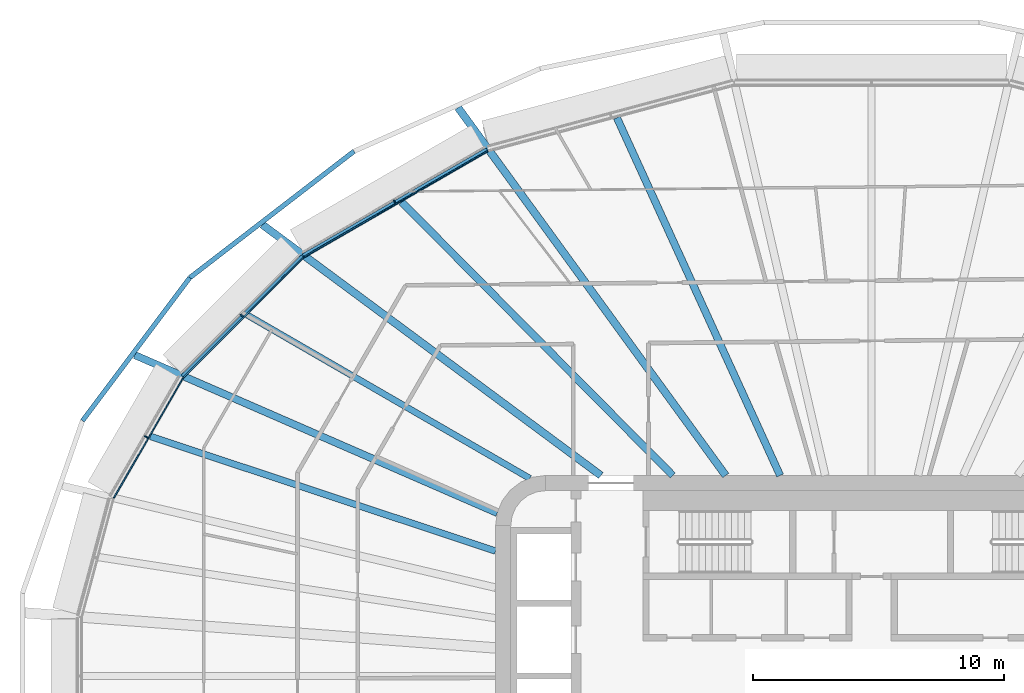
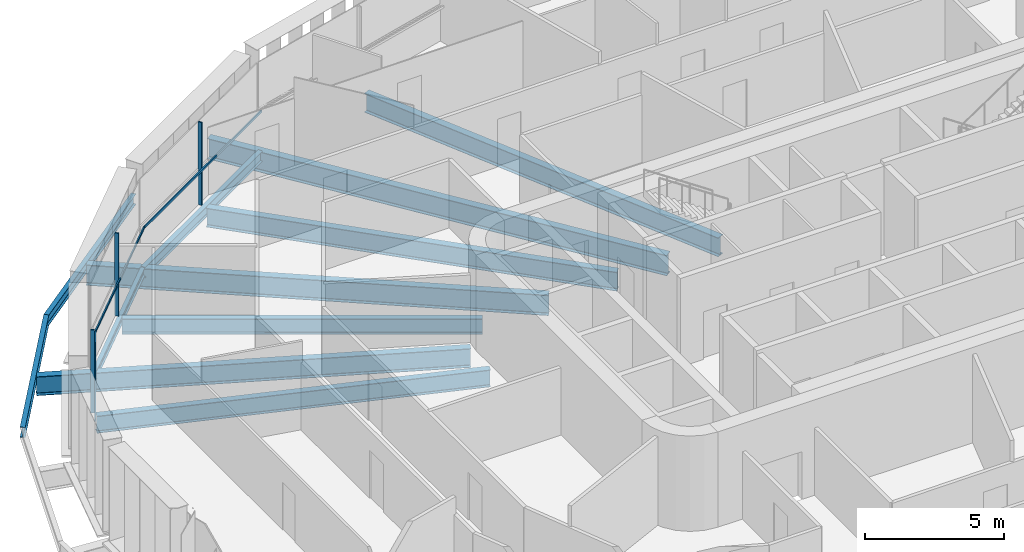
# One storey, part 7 of 26: 11 beams, 6 members, 3 elements without a shape of their own.
"""IFC4 building model written with IfcOpenShell, lengths in metres."""

from ifc_helpers import new_model, si_unit, direction, frame, origin, origin_2d, place, context, subcontext, project, spatial, rectangle, i_section, extrude, material, layer, layer_set, material_profile, profile_set, type_object, element, aggregate, save


model = new_model("IFC4")

# Units and contexts
model_context = context("Model", 3, precision=1e-05, world=origin(), true_north=direction((0.0, 1.0)))
body_context = subcontext(model_context, "Body", "Model", "MODEL_VIEW")
ifc_project = project(units=[si_unit("LENGTHUNIT", "METRE"), si_unit("AREAUNIT", "SQUARE_METRE"), si_unit("VOLUMEUNIT", "CUBIC_METRE"), si_unit("PLANEANGLEUNIT", "RADIAN"), si_unit("MASSUNIT", "GRAM", prefix="KILO")], contexts=[model_context])

# Site, building, storey
site_placement = place(None, origin())
site = spatial("IfcSite", under=ifc_project, at=site_placement, CompositionType="ELEMENT")
building_placement = place(site_placement, origin())
building = spatial("IfcBuilding", under=site, at=building_placement, Name="Sahrelin Media Tower", CompositionType="ELEMENT")
storey_placement = place(building_placement, frame((0.0, 0.0, 88.199951171875)))
storey = spatial("IfcBuildingStorey", under=building, at=storey_placement, Name="L16", CompositionType="ELEMENT", Elevation=88.199951171875)

# Beams
ifc_material_1 = material(Name="Steel S355", Category="steel")
ifc_material_profile_1 = material_profile(ifc_material_1, i_section(OverallWidth=0.17138671875, OverallDepth=0.35498046875, WebThickness=0.00732421875, FlangeThickness=0.011474609375, FilletRadius=0.01025390625, at=origin_2d()), Name="UB 356x171x51")
ifc_profile_set_1 = profile_set([ifc_material_profile_1], Name="Steel S355")
beam_type_1 = type_object("IfcBeamType", Name="Edge beam EB3", PredefinedType="BEAM", material=ifc_profile_set_1)
beam_1_placement = place(storey_placement, frame((-27.482666015625, 11.946044921875, -0.327392578125), z_axis=(0.707106781187, 0.707106781187, 0.0), x_axis=(-0.707106781187, 0.707106781187, 0.0)))
element("IfcBeam", 1, at=beam_1_placement, inside=storey, type_object=beam_type_1, Name="Edge beam L16-16", PredefinedType="BEAM", context=body_context, shape_type="SweptSolid", body=[
    extrude(i_section(OverallWidth=0.17138671875, OverallDepth=0.35498046875, WebThickness=0.00732421875, FlangeThickness=0.011474609375, FilletRadius=0.01025390625, at=origin_2d()), origin(), (0.0, 0.0, 1.0), 6.7783203125),
])
ifc_material_profile_2 = material_profile(ifc_material_1, i_section(OverallWidth=0.1904296875, OverallDepth=0.45703125, WebThickness=0.009033203125, FlangeThickness=0.014404296875, FilletRadius=0.01025390625, at=origin_2d()), Name="UB 457x191x74")
ifc_profile_set_2 = profile_set([ifc_material_profile_2], Name="Steel S355")
beam_type_2 = type_object("IfcBeamType", Name="Edge beam EB5", PredefinedType="BEAM", material=ifc_profile_set_2)
beam_2_placement = place(storey_placement, frame((-22.666748046875, 16.756591796875, -0.37841796875), z_axis=(0.866025712585, 0.499999465141, 0.0), x_axis=(-0.499999465141, 0.866025712585, 0.0)))
element("IfcBeam", 2, at=beam_2_placement, inside=storey, type_object=beam_type_2, Name="Edge beam L16-17", PredefinedType="BEAM", context=body_context, shape_type="SweptSolid", body=[
    extrude(i_section(OverallWidth=0.1904296875, OverallDepth=0.45703125, WebThickness=0.009033203125, FlangeThickness=0.014404296875, FilletRadius=0.01025390625, at=origin_2d()), origin(), (0.0, 0.0, 1.0), 8.46826171875),
])

# Curtain wall, member
ifc_material_2 = material(Name="Champagne anodised aluminium 6063-T6", Category="aluminium")
ifc_layer = layer(ifc_material_2, 0.14990234375)
ifc_layer_set = layer_set([ifc_layer], Name="Tower ribbon curtain wall")
curtain_wall_type = type_object("IfcCurtainWallType", Name="Tower ribbon curtain wall", PredefinedType="NOTDEFINED", material=ifc_layer_set)
curtain_wall_1_placement = place(storey_placement, frame((-19.074951171875, 19.003662109375, 0.0), z_axis=(0.0, 0.0, 1.0), x_axis=(1.0, 0.0, 0.0)))
curtain_wall_1 = element("IfcCurtainWall", 3, at=curtain_wall_1_placement, inside=storey, type_object=curtain_wall_type, Name="L16:CW:L16-08", PredefinedType="NOTDEFINED")
ifc_material_profile_3 = material_profile(ifc_material_2, rectangle(XDim=0.06005859375, YDim=0.14990234375, at=origin_2d()), Name="Mullion 60x150")
ifc_profile_set_3 = profile_set([ifc_material_profile_3], Name="Champagne anodised aluminium 6063-T6")
member_type_1 = type_object("IfcMemberType", Name="Mullion 60x150 CW1", PredefinedType="MULLION", material=ifc_profile_set_3)
member_1_placement = place(storey_placement, frame((-19.02734375, 18.92138671875, 0.0), z_axis=(0.0, 0.0, 1.0), x_axis=(-0.866022785779, -0.500004534492, 0.0)))
member_1 = element("IfcMember", 4, at=member_1_placement, type_object=member_type_1, Name="L16:CWM:L16-08", PredefinedType="MULLION", context=body_context, shape_type="SweptSolid", body=[
    extrude(rectangle(XDim=0.06005859375, YDim=0.14990234375, at=origin_2d()), origin(), (0.0, 0.0, 1.0), 3.648681640625),
])

curtain_wall_2_placement = place(storey_placement, frame((-25.192138671875, 14.44873046875, 0.0), z_axis=(0.0, 0.0, 1.0), x_axis=(1.0, 0.0, 0.0)))
curtain_wall_2 = element("IfcCurtainWall", 5, at=curtain_wall_2_placement, inside=storey, type_object=curtain_wall_type, Name="L16:CW:L16-09", PredefinedType="NOTDEFINED")
member_2_placement = place(storey_placement, frame((-25.125, 14.381591796875, 0.0), z_axis=(0.0, 0.0, 1.0), x_axis=(-0.707114185953, -0.707099376343, 0.0)))
member_2 = element("IfcMember", 6, at=member_2_placement, type_object=member_type_1, Name="L16:CWM:L16-09", PredefinedType="MULLION", context=body_context, shape_type="SweptSolid", body=[
    extrude(rectangle(XDim=0.06005859375, YDim=0.14990234375, at=origin_2d()), origin(), (0.0, 0.0, 1.0), 3.648681640625),
])

curtain_wall_3_placement = place(storey_placement, frame((-29.021484375, 9.58837890625, 0.0), z_axis=(0.0, 0.0, 1.0), x_axis=(1.0, 0.0, 0.0)))
curtain_wall_3 = element("IfcCurtainWall", 7, at=curtain_wall_3_placement, inside=storey, type_object=curtain_wall_type, Name="L16:CW:L16-10", PredefinedType="NOTDEFINED")
member_3_placement = place(storey_placement, frame((-28.939208984375, 9.540771484375, 0.0), z_axis=(0.0, 0.0, 1.0), x_axis=(-0.499990930976, -0.866030639725, 0.0)))
member_3 = element("IfcMember", 8, at=member_3_placement, type_object=member_type_1, Name="L16:CWM:L16-10", PredefinedType="MULLION", context=body_context, shape_type="SweptSolid", body=[
    extrude(rectangle(XDim=0.06005859375, YDim=0.14990234375, at=origin_2d()), origin(), (0.0, 0.0, 1.0), 3.648681640625),
])

# Beams
ifc_material_profile_4 = material_profile(ifc_material_1, i_section(OverallWidth=0.291748046875, OverallDepth=0.8349609375, WebThickness=0.013916015625, FlangeThickness=0.018798828125, FilletRadius=0.017822265625, at=origin_2d()), Name="UB 838x292x176")
ifc_profile_set_4 = profile_set([ifc_material_profile_4], Name="Steel S355")
beam_type_3 = type_object("IfcBeamType", Name="Radial primary beam PB10", PredefinedType="BEAM", material=ifc_profile_set_4)
beam_3_placement = place(storey_placement, frame((-14.93359375, 6.5048828125, -0.5673828125), z_axis=(-0.916801900048, 0.399342304381, 0.0), x_axis=(-0.399342304381, -0.916801900048, 0.0)))
element("IfcBeam", 9, at=beam_3_placement, inside=storey, type_object=beam_type_3, Name="Radial beam L16-10", PredefinedType="BEAM", context=body_context, shape_type="SweptSolid", body=[
    extrude(i_section(OverallWidth=0.291748046875, OverallDepth=0.8349609375, WebThickness=0.013916015625, FlangeThickness=0.018798828125, FilletRadius=0.017822265625, at=origin_2d()), origin(), (0.0, 0.0, 1.0), 15.77490234375),
])
ifc_material_profile_5 = material_profile(ifc_material_1, i_section(OverallWidth=0.30322265625, OverallDepth=0.903076171875, WebThickness=0.01513671875, FlangeThickness=0.020263671875, FilletRadius=0.01904296875, at=origin_2d()), Name="UB 914x305x201")
ifc_profile_set_5 = profile_set([ifc_material_profile_5], Name="Steel S355")
beam_type_4 = type_object("IfcBeamType", Name="Radial primary beam PB11", PredefinedType="BEAM", material=ifc_profile_set_5)
beam_4_placement = place(storey_placement, frame((-5.8203125, 8.0, -0.6015625), z_axis=(-0.588306872488, 0.808637758075, 0.0), x_axis=(-0.808637758075, -0.588306872488, 0.0)))
element("IfcBeam", 10, at=beam_4_placement, inside=storey, type_object=beam_type_4, Name="Radial beam L16-08", PredefinedType="BEAM", context=body_context, shape_type="SweptSolid", body=[
    extrude(i_section(OverallWidth=0.30322265625, OverallDepth=0.903076171875, WebThickness=0.01513671875, FlangeThickness=0.020263671875, FilletRadius=0.01904296875, at=origin_2d()), origin(), (0.0, 0.0, 1.0), 18.14794921875),
])
beam_5_placement = place(storey_placement, frame((-10.798828125, 8.0, -0.6015625), z_axis=(-0.803527079038, 0.59526820279, 0.0), x_axis=(-0.59526820279, -0.803527079038, 0.0)))
element("IfcBeam", 11, at=beam_5_placement, inside=storey, type_object=beam_type_4, Name="Radial beam L16-09", PredefinedType="BEAM", context=body_context, shape_type="SweptSolid", body=[
    extrude(i_section(OverallWidth=0.30322265625, OverallDepth=0.903076171875, WebThickness=0.01513671875, FlangeThickness=0.020263671875, FilletRadius=0.01904296875, at=origin_2d()), origin(), (0.0, 0.0, 1.0), 16.8037109375),
])
ifc_material_profile_6 = material_profile(ifc_material_1, i_section(OverallWidth=0.291748046875, OverallDepth=0.8349609375, WebThickness=0.013916015625, FlangeThickness=0.018798828125, FilletRadius=0.017822265625, at=origin_2d()), Name="UB 838x292x176")
ifc_profile_set_6 = profile_set([ifc_material_profile_6], Name="Steel S355")
beam_type_5 = type_object("IfcBeamType", Name="Radial secondary beam SB10", PredefinedType="BEAM", material=ifc_profile_set_6)
beam_6_placement = place(storey_placement, frame((-3.6494140625, 8.0, -0.5673828125), z_axis=(-0.415038402282, 0.909803893502, 0.0), x_axis=(-0.909803893502, -0.415038402282, 0.0)))
element("IfcBeam", 12, at=beam_6_placement, inside=storey, type_object=beam_type_5, Name="Secondary beam L16-07", PredefinedType="BEAM", context=body_context, shape_type="SweptSolid", body=[
    extrude(i_section(OverallWidth=0.291748046875, OverallDepth=0.8349609375, WebThickness=0.013916015625, FlangeThickness=0.018798828125, FilletRadius=0.017822265625, at=origin_2d()), origin(), (0.0, 0.0, 1.0), 15.687744140625),
])
beam_7_placement = place(storey_placement, frame((-7.93115234375, 8.0, -0.5673828125), z_axis=(-0.704056941584, 0.710143522823, 0.0), x_axis=(-0.710143522823, -0.704056941584, 0.0)))
element("IfcBeam", 13, at=beam_7_placement, inside=storey, type_object=beam_type_5, Name="Secondary beam L16-08", PredefinedType="BEAM", context=body_context, shape_type="SweptSolid", body=[
    extrude(i_section(OverallWidth=0.291748046875, OverallDepth=0.8349609375, WebThickness=0.013916015625, FlangeThickness=0.018798828125, FilletRadius=0.017822265625, at=origin_2d()), origin(), (0.0, 0.0, 1.0), 15.362548828125),
])
ifc_material_profile_7 = material_profile(ifc_material_1, i_section(OverallWidth=0.2529296875, OverallDepth=0.677978515625, WebThickness=0.01171875, FlangeThickness=0.01611328125, FilletRadius=0.01513671875, at=origin_2d()), Name="UB 686x254x125")
ifc_profile_set_7 = profile_set([ifc_material_profile_7], Name="Steel S355")
beam_type_6 = type_object("IfcBeamType", Name="Radial secondary beam SB8", PredefinedType="BEAM", material=ifc_profile_set_7)
beam_8_placement = place(storey_placement, frame((-13.63525390625, 7.88330078125, -0.48876953125), z_axis=(-0.865726960109, 0.500516563703, 0.0), x_axis=(-0.500516563703, -0.865726960109, 0.0)))
element("IfcBeam", 14, at=beam_8_placement, inside=storey, type_object=beam_type_6, Name="Secondary beam L16-09", PredefinedType="BEAM", context=body_context, shape_type="SweptSolid", body=[
    extrude(i_section(OverallWidth=0.2529296875, OverallDepth=0.677978515625, WebThickness=0.01171875, FlangeThickness=0.01611328125, FilletRadius=0.01513671875, at=origin_2d()), origin(), (0.0, 0.0, 1.0), 13.020263671875),
])
ifc_material_profile_8 = material_profile(ifc_material_1, i_section(OverallWidth=0.26513671875, OverallDepth=0.75390625, WebThickness=0.0126953125, FlangeThickness=0.017578125, FilletRadius=0.0166015625, at=origin_2d()), Name="UB 762x267x147")
ifc_profile_set_8 = profile_set([ifc_material_profile_8], Name="Steel S355")
beam_type_7 = type_object("IfcBeamType", Name="Radial secondary beam SB9", PredefinedType="BEAM", material=ifc_profile_set_8)
beam_9_placement = place(storey_placement, frame((-15.0, 4.983642578125, -0.52685546875), z_axis=(-0.948994110949, 0.315293795346, 0.0), x_axis=(-0.315293795346, -0.948994110949, 0.0)))
element("IfcBeam", 15, at=beam_9_placement, inside=storey, type_object=beam_type_7, Name="Secondary beam L16-10", PredefinedType="BEAM", context=body_context, shape_type="SweptSolid", body=[
    extrude(i_section(OverallWidth=0.26513671875, OverallDepth=0.75390625, WebThickness=0.0126953125, FlangeThickness=0.017578125, FilletRadius=0.0166015625, at=origin_2d()), origin(), (0.0, 0.0, 1.0), 14.510009765625),
])
ifc_material_profile_9 = material_profile(ifc_material_1, i_section(OverallWidth=0.1904296875, OverallDepth=0.45703125, WebThickness=0.009033203125, FlangeThickness=0.014404296875, FilletRadius=0.01025390625, at=origin_2d()), Name="UB 457x191x74")
ifc_profile_set_9 = profile_set([ifc_material_profile_9], Name="Steel S355")
beam_type_8 = type_object("IfcBeamType", Name="Tie chord TC5", PredefinedType="BEAM", material=ifc_profile_set_9)
beam_10_placement = place(storey_placement, frame((-20.647705078125, 20.934814453125, -0.37841796875), z_axis=(-0.79243512124, -0.609956210416, 0.0), x_axis=(0.609956210416, -0.79243512124, 0.0)))
element("IfcBeam", 16, at=beam_10_placement, inside=storey, type_object=beam_type_8, Name="Tie chord L16-09", PredefinedType="BEAM", context=body_context, shape_type="SweptSolid", body=[
    extrude(i_section(OverallWidth=0.1904296875, OverallDepth=0.45703125, WebThickness=0.009033203125, FlangeThickness=0.014404296875, FilletRadius=0.01025390625, at=origin_2d()), origin(), (0.0, 0.0, 1.0), 8.266845703125),
])
beam_11_placement = place(storey_placement, frame((-27.19873046875, 15.892333984375, -0.37841796875), z_axis=(-0.600054738751, -0.799958943011, 0.0), x_axis=(0.799958943011, -0.600054738751, 0.0)))
element("IfcBeam", 17, at=beam_11_placement, inside=storey, type_object=beam_type_8, Name="Tie chord L16-10", PredefinedType="BEAM", context=body_context, shape_type="SweptSolid", body=[
    extrude(i_section(OverallWidth=0.1904296875, OverallDepth=0.45703125, WebThickness=0.009033203125, FlangeThickness=0.014404296875, FilletRadius=0.01025390625, at=origin_2d()), origin(), (0.0, 0.0, 1.0), 7.135986328125),
])

# Member
ifc_material_profile_10 = material_profile(ifc_material_2, rectangle(XDim=0.050048828125, YDim=0.10009765625, at=origin_2d()), Name="Transom 50x100")
ifc_profile_set_10 = profile_set([ifc_material_profile_10], Name="Champagne anodised aluminium 6063-T6")
member_type_2 = type_object("IfcMemberType", Name="Transom 50x100 CW1", PredefinedType="USERDEFINED", material=ifc_profile_set_10)
member_4_placement = place(storey_placement, frame((-15.32421875, 20.94384765625, 1.60009765625), z_axis=(-0.866029933621, -0.499992154011, 0.0), x_axis=(0.499992154011, -0.866029933621, 0.0)))
member_4 = element("IfcMember", 18, at=member_4_placement, type_object=member_type_2, Name="L16:CWT:L16-08", ObjectType="TRANSOM", PredefinedType="USERDEFINED", context=body_context, shape_type="SweptSolid", body=[
    extrude(rectangle(XDim=0.050048828125, YDim=0.10009765625, at=origin_2d()), origin(), (0.0, 0.0, 1.0), 8.436767578125),
])

aggregate(curtain_wall_1, [member_1, member_4])

member_5_placement = place(storey_placement, frame((-22.6689453125, 16.6962890625, 1.60009765625), z_axis=(-0.707088688516, -0.707124873394, 0.0), x_axis=(0.707124873394, -0.707088688516, 0.0)))
member_5 = element("IfcMember", 19, at=member_5_placement, type_object=member_type_2, Name="L16:CWT:L16-09", ObjectType="TRANSOM", PredefinedType="USERDEFINED", context=body_context, shape_type="SweptSolid", body=[
    extrude(rectangle(XDim=0.050048828125, YDim=0.10009765625, at=origin_2d()), origin(), (0.0, 0.0, 1.0), 6.7470703125),
])

aggregate(curtain_wall_2, [member_2, member_5])

member_6_placement = place(storey_placement, frame((-27.468994140625, 11.88720703125, 1.60009765625), z_axis=(-0.500001219746, -0.866024699562, 0.0), x_axis=(0.866024699562, -0.500001219746, 0.0)))
member_6 = element("IfcMember", 20, at=member_6_placement, type_object=member_type_2, Name="L16:CWT:L16-10", ObjectType="TRANSOM", PredefinedType="USERDEFINED", context=body_context, shape_type="SweptSolid", body=[
    extrude(rectangle(XDim=0.050048828125, YDim=0.10009765625, at=origin_2d()), origin(), (0.0, 0.0, 1.0), 5.5341796875),
])

aggregate(curtain_wall_3, [member_3, member_6])

save(model, "model.ifc")
